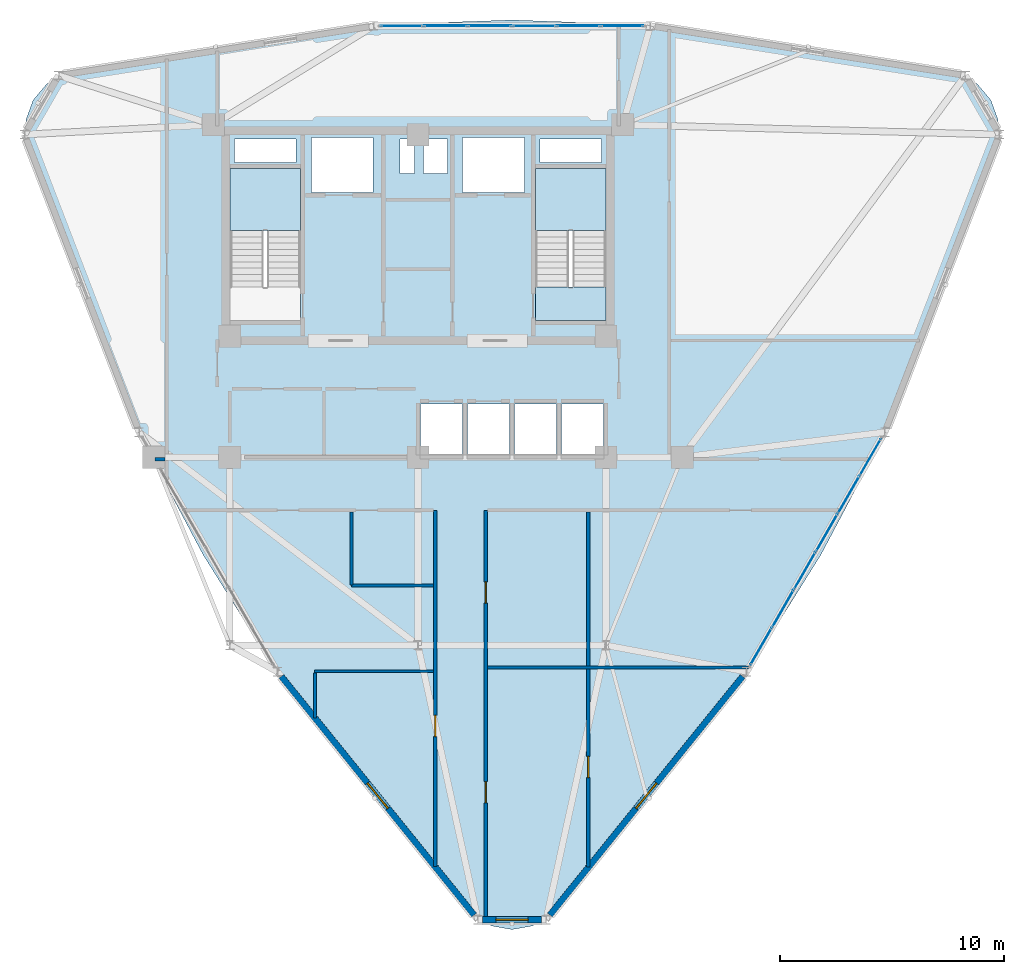
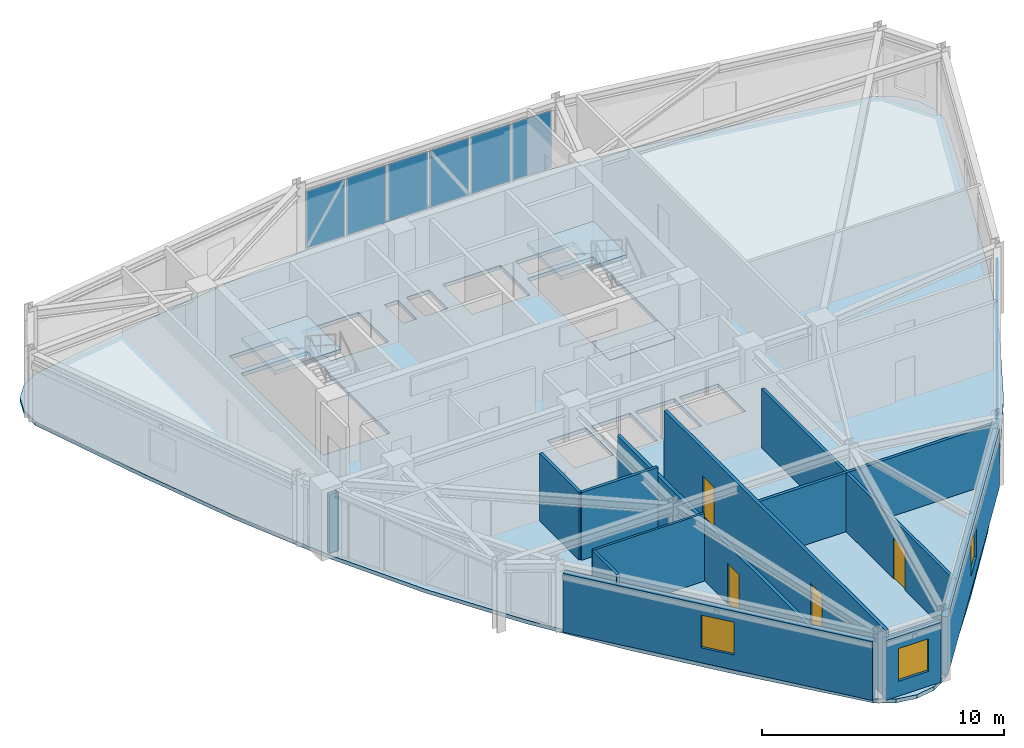
# One storey, part 13 of 18: 12 plates, 12 walls, 4 doors, 4 slabs, 3 windows, 7 openings, 4 elements without a shape of their own.
"""IFC4 building model written with IfcOpenShell, lengths in metres."""

from ifc_helpers import new_model, si_unit, derived_unit, direction, frame, frame_2d, origin, origin_2d, place, context, subcontext, project, spatial, polyline, rectangle, outline, extrude, source, transform, mapped, material, layer, layer_set, type_object, element, fill, aggregate, save


model = new_model("IFC4")

# Units and contexts
model_context = context("Model", 3, precision=1e-05, world=origin(), true_north=direction((0.0, 1.0)))
body_context = subcontext(model_context, "Body", "Model", "MODEL_VIEW")
ifc_project = project(units=[si_unit("LENGTHUNIT", "METRE"), si_unit("AREAUNIT", "SQUARE_METRE"), si_unit("VOLUMEUNIT", "CUBIC_METRE"), si_unit("PLANEANGLEUNIT", "RADIAN"), si_unit("MASSUNIT", "GRAM", prefix="KILO"), derived_unit("THERMALTRANSMITTANCEUNIT", [(si_unit("POWERUNIT", "WATT"), 1), (si_unit("LENGTHUNIT", "METRE"), -2), (si_unit("THERMODYNAMICTEMPERATUREUNIT", "KELVIN"), -1)])], contexts=[model_context])

# Site, building, storey
site_placement = place(None, origin())
site = spatial("IfcSite", under=ifc_project, at=site_placement, CompositionType="ELEMENT")
building_placement = place(site_placement, origin())
building = spatial("IfcBuilding", under=site, at=building_placement, Name="Korsvarv Bourse and Concert Hall", CompositionType="ELEMENT")
storey_placement = place(building_placement, frame((0.0, 0.0, 209.39990234375)))
storey = spatial("IfcBuildingStorey", under=building, at=storey_placement, Name="L54", CompositionType="ELEMENT", Elevation=209.39990234375)

# Slab
ifc_material_1 = material(Name="Precast concrete C45/55", Category="concrete")
ifc_layer_1 = layer(ifc_material_1, 0.199951171875)
ifc_layer_set_1 = layer_set([ifc_layer_1], Name="Precast concrete C45/55")
slab_type_1 = type_object("IfcSlabType", Name="SLB-FLND-T", PredefinedType="LANDING", material=ifc_layer_set_1)
slab_1_placement = place(storey_placement, frame((0.0, 0.0, -0.199951171875)))
element("IfcSlab", 1, at=slab_1_placement, inside=storey, type_object=slab_type_1, Name="L54 Stair ST-T2 Floor Landing Slab", PredefinedType="LANDING", context=body_context, shape_type="SweptSolid", body=[
    extrude(outline(polyline([(44.39990234375, 38.5), (44.39990234375, 40.0), (41.239990234375, 40.0), (41.239990234375, 38.5), (44.39990234375, 38.5)])), origin(), (0.0, 0.0, 1.0), 0.199951171875),
])

# Stair, slab
stair_type = type_object("IfcStairType", Name="STR-TYPE-04", PredefinedType="HALF_TURN_STAIR", material=ifc_material_1)
stair_1_placement = place(storey_placement, origin())
stair_1 = element("IfcStair", 2, at=stair_1_placement, inside=storey, type_object=stair_type, Name="L54 Tower West Exit Stair ST-T1", PredefinedType="HALF_TURN_STAIR")
ifc_layer_2 = layer(ifc_material_1, 0.199951171875)
ifc_layer_set_2 = layer_set([ifc_layer_2], Name="Precast concrete C45/55")
slab_type_2 = type_object("IfcSlabType", Name="SLB-ST-LND", PredefinedType="LANDING", material=ifc_layer_set_2)
slab_2_placement = place(storey_placement, frame((0.0, 0.0, 1.60009765625)))
slab_2 = element("IfcSlab", 3, at=slab_2_placement, type_object=slab_type_2, Name="ST-T1 landing 1", PredefinedType="LANDING", context=body_context, shape_type="SweptSolid", body=[
    extrude(outline(polyline([(30.760009765625, 42.52001953125), (30.760009765625, 45.300048828125), (27.60009765625, 45.300048828125), (27.60009765625, 42.52001953125), (30.760009765625, 42.52001953125)])), origin(), (0.0, 0.0, 1.0), 0.199951171875),
])
aggregate(stair_1, [slab_2])

stair_2_placement = place(storey_placement, origin())
stair_2 = element("IfcStair", 4, at=stair_2_placement, inside=storey, type_object=stair_type, Name="L54 Tower East Exit Stair ST-T2", PredefinedType="HALF_TURN_STAIR")
slab_3_placement = place(storey_placement, frame((0.0, 0.0, 1.60009765625)))
slab_3 = element("IfcSlab", 5, at=slab_3_placement, type_object=slab_type_2, Name="ST-T2 landing 1", PredefinedType="LANDING", context=body_context, shape_type="SweptSolid", body=[
    extrude(outline(polyline([(44.39990234375, 42.52001953125), (44.39990234375, 45.300048828125), (41.239990234375, 45.300048828125), (41.239990234375, 42.52001953125), (44.39990234375, 42.52001953125)])), origin(), (0.0, 0.0, 1.0), 0.199951171875),
])
aggregate(stair_2, [slab_3])

# Slab
ifc_material_2 = material(Name="Concrete C45/55", Category="concrete")
ifc_layer_3 = layer(ifc_material_2, 0.18994140625)
ifc_layer_set_3 = layer_set([ifc_layer_3], Name="Concrete C45/55")
slab_type_3 = type_object("IfcSlabType", Name="SLB-TW3", PredefinedType="FLOOR", material=ifc_layer_set_3)
slab_4_placement = place(storey_placement, frame((0.0, 0.0, -0.18994140625)))
element("IfcSlab", 6, at=slab_4_placement, inside=storey, type_object=slab_type_3, Name="L54 tower structural floor slab", PredefinedType="FLOOR", context=body_context, shape_type="SweptSolid", body=[
    extrude(outline(polyline([(61.532958984375, 45.518798828125), (59.89111328125, 40.9765625), (58.1455078125, 36.51904296875), (56.20068359375, 32.1962890625), (53.992431640625, 28.036865234375), (51.49462890625, 24.044921875), (48.723388671875, 20.199462890625), (45.73583984375, 16.458740234375), (42.622802734375, 12.765869140625), (42.62158203125, 12.764404296875), (41.92333984375, 11.93212890625), (41.116943359375, 11.466552734375), (40.199951171875, 11.304931640625), (39.282958984375, 11.466552734375), (38.476806640625, 11.93212890625), (37.7783203125, 12.764404296875), (37.777099609375, 12.765869140625), (34.6640625, 16.458740234375), (31.6767578125, 20.199462890625), (28.905517578125, 24.044921875), (26.407470703125, 28.036865234375), (24.19921875, 32.1962890625), (22.254638671875, 36.51904296875), (20.5087890625, 40.9765625), (18.8671875, 45.518798828125), (18.866455078125, 45.520751953125), (18.494873046875, 46.54150390625), (18.494873046875, 47.47265625), (18.8134765625, 48.34765625), (19.411865234375, 49.060791015625), (20.21826171875, 49.5263671875), (21.2880859375, 49.715087890625), (21.2900390625, 49.71533203125), (26.044677734375, 50.56494140625), (30.77783203125, 51.28173828125), (35.493896484375, 51.759033203125), (40.199951171875, 51.926025390625), (44.90625, 51.759033203125), (49.6220703125, 51.28173828125), (54.355224609375, 50.56494140625), (59.110107421875, 49.71533203125), (59.112060546875, 49.715087890625), (60.181884765625, 49.5263671875), (60.988037109375, 49.060791015625), (61.586669921875, 48.34765625), (61.905029296875, 47.47265625), (61.905029296875, 46.54150390625), (61.53369140625, 45.520751953125), (61.532958984375, 45.518798828125)]), holes=[polyline([(30.760009765625, 38.5), (30.760009765625, 45.300048828125), (27.60009765625, 45.300048828125), (27.60009765625, 38.5), (30.760009765625, 38.5)]), polyline([(44.39990234375, 38.5), (44.39990234375, 45.300048828125), (41.239990234375, 45.300048828125), (41.239990234375, 38.5), (44.39990234375, 38.5)]), polyline([(31.239990234375, 44.219970703125), (34.0, 44.219970703125), (34.0, 46.679931640625), (31.239990234375, 46.679931640625), (31.239990234375, 44.219970703125)]), polyline([(38.0, 44.219970703125), (40.760009765625, 44.219970703125), (40.760009765625, 46.679931640625), (38.0, 46.679931640625), (38.0, 44.219970703125)]), polyline([(36.1201171875, 32.52001953125), (37.97998046875, 32.52001953125), (37.97998046875, 34.780029296875), (36.1201171875, 34.780029296875), (36.1201171875, 32.52001953125)]), polyline([(38.219970703125, 32.52001953125), (40.080078125, 32.52001953125), (40.080078125, 34.780029296875), (38.219970703125, 34.780029296875), (38.219970703125, 32.52001953125)]), polyline([(40.320068359375, 32.52001953125), (42.179931640625, 32.52001953125), (42.179931640625, 34.780029296875), (40.320068359375, 34.780029296875), (40.320068359375, 32.52001953125)]), polyline([(42.419921875, 32.52001953125), (44.280029296875, 32.52001953125), (44.280029296875, 34.780029296875), (42.419921875, 34.780029296875), (42.419921875, 32.52001953125)]), polyline([(27.800048828125, 45.56005859375), (30.56005859375, 45.56005859375), (30.56005859375, 46.6201171875), (27.800048828125, 46.6201171875), (27.800048828125, 45.56005859375)]), polyline([(41.43994140625, 45.56005859375), (44.199951171875, 45.56005859375), (44.199951171875, 46.6201171875), (41.43994140625, 46.6201171875), (41.43994140625, 45.56005859375)]), polyline([(35.199951171875, 45.080078125), (35.840087890625, 45.080078125), (35.840087890625, 46.6201171875), (35.199951171875, 46.6201171875), (35.199951171875, 45.080078125)]), polyline([(36.239990234375, 45.080078125), (37.320068359375, 45.080078125), (37.320068359375, 46.6201171875), (36.239990234375, 46.6201171875), (36.239990234375, 45.080078125)])]), origin(), (0.0, 0.0, 1.0), 0.18994140625),
])

# Curtain wall, plates
ifc_material_3 = material(Name="Anodised aluminium and triple low-E glazing", Category="glass")
ifc_layer_4 = layer(ifc_material_3, 0.199951171875)
ifc_layer_set_4 = layer_set([ifc_layer_4], Name="Anodised aluminium and triple low-E glazing")
curtain_wall_type = type_object("IfcCurtainWallType", Name="CW-SYS-3", PredefinedType="NOTDEFINED", material=ifc_layer_set_4)
curtain_wall_1_placement = place(storey_placement, origin())
curtain_wall_1 = element("IfcCurtainWall", 7, at=curtain_wall_1_placement, inside=storey, type_object=curtain_wall_type, Name="L54 CW3 curtain wall CW-L54-F03", PredefinedType="NOTDEFINED")
ifc_material_4 = material(Name="Tempered triple insulated low-E architectural glass", Category="glass")
ifc_layer_5 = layer(ifc_material_4, 0.0380859375)
ifc_layer_set_5 = layer_set([ifc_layer_5], Name="Tempered triple insulated low-E architectural glass")
plate_type_1 = type_object("IfcPlateType", Name="CWP-VIS2", PredefinedType="CURTAIN_PANEL", material=ifc_layer_set_5)
shared_shape_1 = source(origin(), body_context, "Body", "SweptSolid", [
    extrude(rectangle(XDim=1.86962890625, YDim=0.0380859375, at=origin_2d()), origin(), (0.0, 0.0, 1.0), 2.889892578125),
])
plate_1_placement = place(storey_placement, frame((45.118896484375, 51.66162109375, 0.06494140625), z_axis=(0.0, 0.0, 1.0), x_axis=(-1.0, 0.0, 0.0)))
plate_1 = element("IfcPlate", 8, at=plate_1_placement, type_object=plate_type_1, Name="CW3 faceted panel 1.1", PredefinedType="CURTAIN_PANEL", context=body_context, shape_type="MappedRepresentation", body=[
    mapped(shared_shape_1, transform((0.0, 0.0, 0.0), scale=1.0)),
])
shared_shape_2 = source(origin(), body_context, "Body", "SweptSolid", [
    extrude(rectangle(XDim=1.904541015625, YDim=0.0380859375, at=origin_2d()), origin(), (0.0, 0.0, 1.0), 2.889892578125),
])
plate_2_placement = place(storey_placement, frame((43.161865234375, 51.66162109375, 0.06494140625), z_axis=(0.0, 0.0, 1.0), x_axis=(-1.0, 0.0, 0.0)))
plate_2 = element("IfcPlate", 9, at=plate_2_placement, type_object=plate_type_1, Name="CW3 faceted panel 2.1", PredefinedType="CURTAIN_PANEL", context=body_context, shape_type="MappedRepresentation", body=[
    mapped(shared_shape_2, transform((0.0, 0.0, 0.0), scale=1.0)),
])
plate_3_placement = place(storey_placement, frame((39.212646484375, 51.66162109375, 0.06494140625), z_axis=(0.0, 0.0, 1.0), x_axis=(-1.0, 0.0, 0.0)))
plate_3 = element("IfcPlate", 10, at=plate_3_placement, type_object=plate_type_1, Name="CW3 faceted panel 4.1", PredefinedType="CURTAIN_PANEL", context=body_context, shape_type="MappedRepresentation", body=[
    mapped(shared_shape_2, transform((0.0, 0.0, 0.0), scale=1.0)),
])
plate_4_placement = place(storey_placement, frame((37.238037109375, 51.66162109375, 0.06494140625), z_axis=(0.0, 0.0, 1.0), x_axis=(-1.0, 0.0, 0.0)))
plate_4 = element("IfcPlate", 11, at=plate_4_placement, type_object=plate_type_1, Name="CW3 faceted panel 5.1", PredefinedType="CURTAIN_PANEL", context=body_context, shape_type="MappedRepresentation", body=[
    mapped(shared_shape_2, transform((0.0, 0.0, 0.0), scale=1.0)),
])
ifc_material_5 = material(Name="Insulated spandrel glass", Category="glass")
ifc_layer_6 = layer(ifc_material_5, 0.031982421875)
ifc_layer_set_6 = layer_set([ifc_layer_6], Name="Insulated spandrel glass")
plate_type_2 = type_object("IfcPlateType", Name="CWP-SPD1", PredefinedType="CURTAIN_PANEL", material=ifc_layer_set_6)
shared_shape_3 = source(origin(), body_context, "Body", "SweptSolid", [
    extrude(rectangle(XDim=1.904541015625, YDim=0.031982421875, at=origin_2d()), origin(), (0.0, 0.0, 1.0), 2.889892578125),
])
plate_5_placement = place(storey_placement, frame((41.187255859375, 51.66162109375, 0.06494140625), z_axis=(0.0, 0.0, 1.0), x_axis=(-1.0, 0.0, 0.0)))
plate_5 = element("IfcPlate", 12, at=plate_5_placement, type_object=plate_type_2, Name="CW3 spandrel shadow-box panel 3.1", PredefinedType="CURTAIN_PANEL", context=body_context, shape_type="MappedRepresentation", body=[
    mapped(shared_shape_3, transform((0.0, 0.0, 0.0), scale=1.0)),
])
shared_shape_4 = source(origin(), body_context, "Body", "SweptSolid", [
    extrude(rectangle(XDim=1.86962890625, YDim=0.031982421875, at=origin_2d()), origin(), (0.0, 0.0, 1.0), 2.889892578125),
])
plate_6_placement = place(storey_placement, frame((35.281005859375, 51.66162109375, 0.06494140625), z_axis=(0.0, 0.0, 1.0), x_axis=(-1.0, 0.0, 0.0)))
plate_6 = element("IfcPlate", 13, at=plate_6_placement, type_object=plate_type_2, Name="CW3 spandrel shadow-box panel 6.1", PredefinedType="CURTAIN_PANEL", context=body_context, shape_type="MappedRepresentation", body=[
    mapped(shared_shape_4, transform((0.0, 0.0, 0.0), scale=1.0)),
])
aggregate(curtain_wall_1, [plate_1, plate_2, plate_5, plate_3, plate_4, plate_6])

curtain_wall_2_placement = place(storey_placement, origin())
curtain_wall_2 = element("IfcCurtainWall", 14, at=curtain_wall_2_placement, inside=storey, type_object=curtain_wall_type, Name="L54 CW3 curtain wall CW-L54-F11", PredefinedType="NOTDEFINED")
shared_shape_5 = source(origin(), body_context, "Body", "SweptSolid", [
    extrude(rectangle(XDim=1.8544921875, YDim=0.0380859375, at=origin_2d()), origin(), (0.0, 0.0, 1.0), 2.889892578125),
])
plate_7_placement = place(storey_placement, frame((51.32275390625, 23.941650390625, 0.06494140625), z_axis=(0.0, 0.0, 1.0), x_axis=(0.499996577961, 0.86602737949, 0.0)))
plate_7 = element("IfcPlate", 15, at=plate_7_placement, type_object=plate_type_1, Name="CW3 faceted panel 1.1", PredefinedType="CURTAIN_PANEL", context=body_context, shape_type="MappedRepresentation", body=[
    mapped(shared_shape_5, transform((0.0, 0.0, 0.0), scale=1.0)),
])
shared_shape_6 = source(origin(), body_context, "Body", "SweptSolid", [
    extrude(rectangle(XDim=1.8896484375, YDim=0.0380859375, at=origin_2d()), origin(), (0.0, 0.0, 1.0), 2.889892578125),
])
plate_8_placement = place(storey_placement, frame((52.293701171875, 25.62353515625, 0.06494140625), z_axis=(0.0, 0.0, 1.0), x_axis=(0.499996577961, 0.86602737949, 0.0)))
plate_8 = element("IfcPlate", 16, at=plate_8_placement, type_object=plate_type_1, Name="CW3 faceted panel 2.1", PredefinedType="CURTAIN_PANEL", context=body_context, shape_type="MappedRepresentation", body=[
    mapped(shared_shape_6, transform((0.0, 0.0, 0.0), scale=1.0)),
])
plate_9_placement = place(storey_placement, frame((54.25341796875, 29.017578125, 0.06494140625), z_axis=(0.0, 0.0, 1.0), x_axis=(0.499996577961, 0.86602737949, 0.0)))
plate_9 = element("IfcPlate", 17, at=plate_9_placement, type_object=plate_type_1, Name="CW3 faceted panel 4.1", PredefinedType="CURTAIN_PANEL", context=body_context, shape_type="MappedRepresentation", body=[
    mapped(shared_shape_6, transform((0.0, 0.0, 0.0), scale=1.0)),
])
plate_10_placement = place(storey_placement, frame((55.233154296875, 30.71484375, 0.06494140625), z_axis=(0.0, 0.0, 1.0), x_axis=(0.499996577961, 0.86602737949, 0.0)))
plate_10 = element("IfcPlate", 18, at=plate_10_placement, type_object=plate_type_1, Name="CW3 faceted panel 5.1", PredefinedType="CURTAIN_PANEL", context=body_context, shape_type="MappedRepresentation", body=[
    mapped(shared_shape_6, transform((0.0, 0.0, 0.0), scale=1.0)),
])
shared_shape_7 = source(origin(), body_context, "Body", "SweptSolid", [
    extrude(rectangle(XDim=1.8896484375, YDim=0.031982421875, at=origin_2d()), origin(), (0.0, 0.0, 1.0), 2.889892578125),
])
plate_11_placement = place(storey_placement, frame((53.2734375, 27.320556640625, 0.06494140625), z_axis=(0.0, 0.0, 1.0), x_axis=(0.499996577961, 0.86602737949, 0.0)))
plate_11 = element("IfcPlate", 19, at=plate_11_placement, type_object=plate_type_2, Name="CW3 spandrel shadow-box panel 3.1", PredefinedType="CURTAIN_PANEL", context=body_context, shape_type="MappedRepresentation", body=[
    mapped(shared_shape_7, transform((0.0, 0.0, 0.0), scale=1.0)),
])
shared_shape_8 = source(origin(), body_context, "Body", "SweptSolid", [
    extrude(rectangle(XDim=1.8544921875, YDim=0.031982421875, at=origin_2d()), origin(), (0.0, 0.0, 1.0), 2.889892578125),
])
plate_12_placement = place(storey_placement, frame((56.2041015625, 32.396728515625, 0.06494140625), z_axis=(0.0, 0.0, 1.0), x_axis=(0.499996577961, 0.86602737949, 0.0)))
plate_12 = element("IfcPlate", 20, at=plate_12_placement, type_object=plate_type_2, Name="CW3 spandrel shadow-box panel 6.1", PredefinedType="CURTAIN_PANEL", context=body_context, shape_type="MappedRepresentation", body=[
    mapped(shared_shape_8, transform((0.0, 0.0, 0.0), scale=1.0)),
])
aggregate(curtain_wall_2, [plate_7, plate_8, plate_11, plate_9, plate_10, plate_12])

# Wall, opening, window
ifc_material_6 = material(Name="Precast concrete C45/55 with terracotta rainscreen", Category="concrete")
ifc_layer_7 = layer(ifc_material_6, 0.300048828125)
ifc_layer_set_7 = layer_set([ifc_layer_7], Name="Precast concrete C45/55 with terracotta rainscreen")
wall_type_1 = type_object("IfcWallType", Name="WL-EXT-TC1", PredefinedType="SOLIDWALL", material=ifc_layer_set_7)
wall_1_placement = place(storey_placement, frame((38.885986328125, 11.74072265625, 0.0), z_axis=(0.0, 0.0, 1.0), x_axis=(1.0, 0.0, 0.0)))
wall_1 = element("IfcWall", 21, at=wall_1_placement, inside=storey, type_object=wall_type_1, Name="L54 terracotta exterior wall EW-L54-B09", PredefinedType="SOLIDWALL", context=body_context, shape_type="SweptSolid", body=[
    extrude(rectangle(XDim=2.628173828125, YDim=0.300048828125, at=frame_2d((1.31396484375, 0.0))), origin(), (0.0, 0.0, 1.0), 3.02001953125),
])
opening_1_placement = place(wall_1_placement, frame((0.589111328125, 0.0, 0.75)))
opening_1 = element("IfcOpeningElement", 22, at=opening_1_placement, cuts=wall_1, Name="Opening W-02", PredefinedType="OPENING", context=body_context, shape_type="SweptSolid", body=[
    extrude(rectangle(XDim=1.449951171875, YDim=1.64990234375, at=frame_2d((0.72509765625, 0.824951171875))), frame((0.0, 0.16015625, 0.0), z_axis=(0.0, -1.0, 0.0), x_axis=(1.0, 0.0, 0.0)), (0.0, 0.0, 1.0), 0.320068359375),
])
ifc_material_7 = material(Name="Thermally broken aluminium frame with triple low-E glass", Category="glass")
window_type = type_object("IfcWindowType", Name="WIN-TW2", PartitioningType="SINGLE_PANEL", PredefinedType="WINDOW", material=ifc_material_7)
window_1_placement = place(opening_1_placement, origin())
window_1 = element("IfcWindow", 23, at=window_1_placement, inside=storey, type_object=window_type, Name="L54 punched facade window W-02", OverallHeight=1.64990234375, OverallWidth=1.449951171875, PartitioningType="SINGLE_PANEL", PredefinedType="WINDOW", context=body_context, shape_type="SweptSolid", body=[
    extrude(rectangle(XDim=1.449951171875, YDim=1.64990234375, at=frame_2d((0.72509765625, 0.824951171875))), frame((0.0, 0.030029296875, 0.0), z_axis=(0.0, -1.0, 0.0), x_axis=(1.0, 0.0, 0.0)), (0.0, 0.0, 1.0), 0.06005859375),
])
fill(opening_1, window_1)

ifc_material_8 = material(Name="Precast concrete C45/55 with fluted terracotta pier", Category="concrete")
ifc_layer_8 = layer(ifc_material_8, 0.280029296875)
ifc_layer_set_8 = layer_set([ifc_layer_8], Name="Precast concrete C45/55 with fluted terracotta pier")
wall_type_2 = type_object("IfcWallType", Name="WL-EXT-TC2", PredefinedType="SOLIDWALL", material=ifc_layer_set_8)
wall_2_placement = place(storey_placement, frame((29.89697265625, 22.60693359375, 0.0), z_axis=(0.0, 0.0, 1.0), x_axis=(0.628534993718, -0.777781307098, 0.0)))
wall_2 = element("IfcWall", 24, at=wall_2_placement, inside=storey, type_object=wall_type_2, Name="L54 terracotta exterior wall EW-L54-B08", PredefinedType="SOLIDWALL", context=body_context, shape_type="SweptSolid", body=[
    extrude(rectangle(XDim=13.69677734375, YDim=0.280029296875, at=frame_2d((6.848388671875, 0.0))), origin(), (0.0, 0.0, 1.0), 2.960205078125),
])
opening_2_placement = place(wall_2_placement, frame((6.123291015625, 0.0, 0.75)))
opening_2 = element("IfcOpeningElement", 25, at=opening_2_placement, cuts=wall_2, Name="Opening W-02", PredefinedType="OPENING", context=body_context, shape_type="SweptSolid", body=[
    extrude(rectangle(XDim=1.449951171875, YDim=1.64990234375, at=frame_2d((0.72509765625, 0.824951171875))), frame((0.0, 0.14990234375, 0.0), z_axis=(0.0, -1.0, 0.0), x_axis=(1.0, 0.0, 0.0)), (0.0, 0.0, 1.0), 0.300048828125),
])
window_2_placement = place(opening_2_placement, origin())
window_2 = element("IfcWindow", 26, at=window_2_placement, inside=storey, type_object=window_type, Name="L54 punched facade window W-02", OverallHeight=1.64990234375, OverallWidth=1.449951171875, PartitioningType="SINGLE_PANEL", PredefinedType="WINDOW", context=body_context, shape_type="SweptSolid", body=[
    extrude(rectangle(XDim=1.449951171875, YDim=1.64990234375, at=frame_2d((0.72509765625, 0.824951171875))), frame((0.0, 0.030029296875, 0.0), z_axis=(0.0, -1.0, 0.0), x_axis=(1.0, 0.0, 0.0)), (0.0, 0.0, 1.0), 0.06005859375),
])
fill(opening_2, window_2)

wall_3_placement = place(storey_placement, frame((41.894287109375, 11.953857421875, 0.0), z_axis=(0.0, 0.0, 1.0), x_axis=(0.628524210589, 0.777790020959, 0.0)))
wall_3 = element("IfcWall", 27, at=wall_3_placement, inside=storey, type_object=wall_type_2, Name="L54 terracotta exterior wall EW-L54-B10", PredefinedType="SOLIDWALL", context=body_context, shape_type="SweptSolid", body=[
    extrude(rectangle(XDim=13.696533203125, YDim=0.280029296875, at=frame_2d((6.84814453125, 0.0))), origin(), (0.0, 0.0, 1.0), 2.960205078125),
])
opening_3_placement = place(wall_3_placement, frame((6.123291015625, 0.0, 0.75)))
opening_3 = element("IfcOpeningElement", 28, at=opening_3_placement, cuts=wall_3, Name="Opening W-02", PredefinedType="OPENING", context=body_context, shape_type="SweptSolid", body=[
    extrude(rectangle(XDim=1.449951171875, YDim=1.64990234375, at=frame_2d((0.72509765625, 0.824951171875))), frame((0.0, 0.14990234375, 0.0), z_axis=(0.0, -1.0, 0.0), x_axis=(1.0, 0.0, 0.0)), (0.0, 0.0, 1.0), 0.300048828125),
])
window_3_placement = place(opening_3_placement, origin())
window_3 = element("IfcWindow", 29, at=window_3_placement, inside=storey, type_object=window_type, Name="L54 punched facade window W-02", OverallHeight=1.64990234375, OverallWidth=1.449951171875, PartitioningType="SINGLE_PANEL", PredefinedType="WINDOW", context=body_context, shape_type="SweptSolid", body=[
    extrude(rectangle(XDim=1.449951171875, YDim=1.64990234375, at=frame_2d((0.72509765625, 0.824951171875))), frame((0.0, 0.030029296875, 0.0), z_axis=(0.0, -1.0, 0.0), x_axis=(1.0, 0.0, 0.0)), (0.0, 0.0, 1.0), 0.06005859375),
])
fill(opening_3, window_3)

# Wall, openings, doors
ifc_material_9 = material(Name="Double-stud fire-rated acoustic partition", Category="gypsum")
ifc_layer_9 = layer(ifc_material_9, 0.159912109375)
ifc_layer_set_9 = layer_set([ifc_layer_9], Name="Double-stud fire-rated acoustic partition")
wall_type_3 = type_object("IfcWallType", Name="WL-INT-EI60", PredefinedType="PARTITIONING", material=ifc_layer_set_9)
wall_4_placement = place(storey_placement, frame((39.02490234375, 11.7607421875, 0.0), z_axis=(0.0, 0.0, 1.0), x_axis=(0.0, 1.0, 0.0)))
wall_4 = element("IfcWall", 30, at=wall_4_placement, inside=storey, type_object=wall_type_3, Name="L54 interior partition wall W-L54-TCOR-03", PredefinedType="PARTITIONING", context=body_context, shape_type="SweptSolid", body=[
    extrude(rectangle(XDim=18.269287109375, YDim=0.159912109375, at=frame_2d((9.134765625, 0.0))), origin(), (0.0, 0.0, 1.0), 3.41015625),
])
opening_4_placement = place(wall_4_placement, frame((5.19970703125, 0.0, 0.0)))
opening_4 = element("IfcOpeningElement", 31, at=opening_4_placement, cuts=wall_4, Name="Opening D-02", PredefinedType="OPENING", context=body_context, shape_type="SweptSolid", body=[
    extrude(rectangle(XDim=0.949951171875, YDim=2.050048828125, at=frame_2d((0.47509765625, 1.02490234375))), frame((0.0, 0.08984375, 0.0), z_axis=(0.0, -1.0, 0.0), x_axis=(1.0, 0.0, 0.0)), (0.0, 0.0, 1.0), 0.179931640625),
])
opening_5_placement = place(wall_4_placement, frame((14.121337890625, 0.0, 0.0)))
opening_5 = element("IfcOpeningElement", 32, at=opening_5_placement, cuts=wall_4, Name="Opening D-02", PredefinedType="OPENING", context=body_context, shape_type="SweptSolid", body=[
    extrude(rectangle(XDim=0.949951171875, YDim=2.050048828125, at=frame_2d((0.47509765625, 1.02490234375))), frame((0.0, 0.08984375, 0.0), z_axis=(0.0, -1.0, 0.0), x_axis=(1.0, 0.0, 0.0)), (0.0, 0.0, 1.0), 0.179931640625),
])
ifc_material_10 = material(Name="Timber and steel acoustic fire door", Category="wood")
door_type_1 = type_object("IfcDoorType", Name="DR-FD30", OperationType="NOTDEFINED", PredefinedType="DOOR", material=ifc_material_10)
door_1_placement = place(opening_4_placement, origin())
door_1 = element("IfcDoor", 33, at=door_1_placement, inside=storey, type_object=door_type_1, Name="L54 interior door DR-L54-TCOR-PN53", OperationType="SINGLE_SWING_LEFT", OverallHeight=2.050048828125, OverallWidth=0.949951171875, PredefinedType="DOOR", context=body_context, shape_type="SweptSolid", body=[
    extrude(rectangle(XDim=0.949951171875, YDim=2.050048828125, at=frame_2d((0.47509765625, 1.02490234375))), frame((0.0, 0.02490234375, 0.0), z_axis=(0.0, -1.0, 0.0), x_axis=(1.0, 0.0, 0.0)), (0.0, 0.0, 1.0), 0.050048828125),
])
fill(opening_4, door_1)
door_2_placement = place(opening_5_placement, origin())
door_2 = element("IfcDoor", 34, at=door_2_placement, inside=storey, type_object=door_type_1, Name="L54 interior door DR-L54-TCOR-PN24", OperationType="SINGLE_SWING_RIGHT", OverallHeight=2.050048828125, OverallWidth=0.949951171875, PredefinedType="DOOR", context=body_context, shape_type="SweptSolid", body=[
    extrude(rectangle(XDim=0.949951171875, YDim=2.050048828125, at=frame_2d((0.47509765625, 1.02490234375))), frame((0.0, 0.02490234375, 0.0), z_axis=(0.0, -1.0, 0.0), x_axis=(1.0, 0.0, 0.0)), (0.0, 0.0, 1.0), 0.050048828125),
])
fill(opening_5, door_2)

# Wall, opening, door
wall_5_placement = place(storey_placement, frame((36.77490234375, 14.115478515625, 0.0), z_axis=(0.0, 0.0, 1.0), x_axis=(0.0, 1.0, 0.0)))
wall_5 = element("IfcWall", 35, at=wall_5_placement, inside=storey, type_object=wall_type_3, Name="L54 interior partition wall W-L54-TCOR-04", PredefinedType="PARTITIONING", context=body_context, shape_type="SweptSolid", body=[
    extrude(rectangle(XDim=15.91455078125, YDim=0.159912109375, at=frame_2d((7.957275390625, 0.0))), origin(), (0.0, 0.0, 1.0), 2.960205078125),
])
opening_6_placement = place(wall_5_placement, frame((5.803466796875, 0.0, 0.0)))
opening_6 = element("IfcOpeningElement", 36, at=opening_6_placement, cuts=wall_5, Name="Opening D-02", PredefinedType="OPENING", context=body_context, shape_type="SweptSolid", body=[
    extrude(rectangle(XDim=0.949951171875, YDim=2.050048828125, at=frame_2d((0.47509765625, 1.02490234375))), frame((0.0, 0.08984375, 0.0), z_axis=(0.0, -1.0, 0.0), x_axis=(1.0, 0.0, 0.0)), (0.0, 0.0, 1.0), 0.179931640625),
])
door_3_placement = place(opening_6_placement, origin())
door_3 = element("IfcDoor", 37, at=door_3_placement, inside=storey, type_object=door_type_1, Name="L54 interior door DR-L54-TCOR-PN49", OperationType="SINGLE_SWING_LEFT", OverallHeight=2.050048828125, OverallWidth=0.949951171875, PredefinedType="DOOR", context=body_context, shape_type="SweptSolid", body=[
    extrude(rectangle(XDim=0.949951171875, YDim=2.050048828125, at=frame_2d((0.47509765625, 1.02490234375))), frame((0.0, 0.02490234375, 0.0), z_axis=(0.0, -1.0, 0.0), x_axis=(1.0, 0.0, 0.0)), (0.0, 0.0, 1.0), 0.050048828125),
])
fill(opening_6, door_3)

# Walls
wall_6_placement = place(storey_placement, frame((24.262939453125, 32.31494140625, 0.0), z_axis=(0.0, 0.0, 1.0), x_axis=(1.0, 0.0, 0.0)))
element("IfcWall", 38, at=wall_6_placement, inside=storey, type_object=wall_type_3, Name="L54 interior partition wall W-L54-TCOR-10", PredefinedType="PARTITIONING", context=body_context, shape_type="SweptSolid", body=[
    extrude(rectangle(XDim=0.43017578125, YDim=0.159912109375, at=frame_2d((0.215087890625, 0.0))), origin(), (0.0, 0.0, 1.0), 2.960205078125),
])
ifc_material_11 = material(Name="Demountable acoustic glass and aluminium dealing partition", Category="aluminium")
ifc_layer_10 = layer(ifc_material_11, 0.110107421875)
ifc_layer_set_10 = layer_set([ifc_layer_10], Name="Demountable acoustic glass and aluminium dealing partition")
wall_type_4 = type_object("IfcWallType", Name="WL-INT-MOV", PredefinedType="MOVABLE", material=ifc_layer_set_10)
wall_7_placement = place(storey_placement, frame((31.389892578125, 22.8349609375, 0.0), z_axis=(0.0, 0.0, 1.0), x_axis=(1.0, 0.0, 0.0)))
element("IfcWall", 39, at=wall_7_placement, inside=storey, type_object=wall_type_4, Name="L54 interior partition wall W-L54-TCOR-14", PredefinedType="MOVABLE", context=body_context, shape_type="SweptSolid", body=[
    extrude(rectangle(XDim=5.30322265625, YDim=0.110107421875, at=frame_2d((2.651611328125, 0.0))), origin(), (0.0, 0.0, 1.0), 3.41015625),
])

# Wall, opening, door
ifc_material_12 = material(Name="Insulated steel-stud office acoustic partition", Category="gypsum")
ifc_layer_11 = layer(ifc_material_12, 0.139892578125)
ifc_layer_set_11 = layer_set([ifc_layer_11], Name="Insulated steel-stud office acoustic partition")
wall_type_5 = type_object("IfcWallType", Name="WL-INT-P1", PredefinedType="PARTITIONING", material=ifc_layer_set_11)
wall_8_placement = place(storey_placement, frame((43.60498046875, 14.0908203125, 0.0), z_axis=(0.0, 0.0, 1.0), x_axis=(0.0, 1.0, 0.0)))
wall_8 = element("IfcWall", 40, at=wall_8_placement, inside=storey, type_object=wall_type_5, Name="L54 interior partition wall W-L54-TCOR-11", PredefinedType="PARTITIONING", context=body_context, shape_type="SweptSolid", body=[
    extrude(rectangle(XDim=15.852294921875, YDim=0.139892578125, at=frame_2d((7.92626953125, 0.0))), origin(), (0.0, 0.0, 1.0), 2.960205078125),
])
opening_7_placement = place(wall_8_placement, frame((3.997802734375, 0.0, 0.0)))
opening_7 = element("IfcOpeningElement", 41, at=opening_7_placement, cuts=wall_8, Name="Opening D-03", PredefinedType="OPENING", context=body_context, shape_type="SweptSolid", body=[
    extrude(rectangle(XDim=0.949951171875, YDim=2.050048828125, at=frame_2d((0.47509765625, 1.02490234375))), frame((0.0, 0.080078125, 0.0), z_axis=(0.0, -1.0, 0.0), x_axis=(1.0, 0.0, 0.0)), (0.0, 0.0, 1.0), 0.159912109375),
])
ifc_material_13 = material(Name="Nordic oak acoustic office door", Category="wood")
door_type_2 = type_object("IfcDoorType", Name="DR-INT-1", OperationType="NOTDEFINED", PredefinedType="DOOR", material=ifc_material_13)
door_4_placement = place(opening_7_placement, origin())
door_4 = element("IfcDoor", 42, at=door_4_placement, inside=storey, type_object=door_type_2, Name="L54 interior door DR-L54-TCOR-RM55", OperationType="SINGLE_SWING_LEFT", OverallHeight=2.050048828125, OverallWidth=0.949951171875, PredefinedType="DOOR", context=body_context, shape_type="SweptSolid", body=[
    extrude(rectangle(XDim=0.949951171875, YDim=2.050048828125, at=frame_2d((0.47509765625, 1.02490234375))), frame((0.0, 0.02490234375, 0.0), z_axis=(0.0, -1.0, 0.0), x_axis=(1.0, 0.0, 0.0)), (0.0, 0.0, 1.0), 0.050048828125),
])
fill(opening_7, door_4)

# Walls
wall_9_placement = place(storey_placement, frame((39.10693359375, 23.0048828125, 0.0), z_axis=(0.0, 0.0, 1.0), x_axis=(1.0, 0.0, 0.0)))
element("IfcWall", 43, at=wall_9_placement, inside=storey, type_object=wall_type_5, Name="L54 interior partition wall W-L54-TCOR-12", PredefinedType="PARTITIONING", context=body_context, shape_type="SweptSolid", body=[
    extrude(rectangle(XDim=11.655029296875, YDim=0.139892578125, at=frame_2d((5.82763671875, 0.0))), origin(), (0.0, 0.0, 1.0), 2.960205078125),
])
wall_10_placement = place(storey_placement, frame((33.0400390625, 26.675048828125, 0.0), z_axis=(0.0, 0.0, 1.0), x_axis=(1.0, 0.0, 0.0)))
element("IfcWall", 44, at=wall_10_placement, inside=storey, type_object=wall_type_5, Name="L54 interior partition wall W-L54-TCOR-15", PredefinedType="PARTITIONING", context=body_context, shape_type="SweptSolid", body=[
    extrude(rectangle(XDim=3.653076171875, YDim=0.139892578125, at=frame_2d((1.82666015625, 0.0))), origin(), (0.0, 0.0, 1.0), 3.41015625),
])
wall_11_placement = place(storey_placement, frame((33.02490234375, 26.68994140625, 0.0), z_axis=(0.0, 0.0, 1.0), x_axis=(0.0, 1.0, 0.0)))
element("IfcWall", 45, at=wall_11_placement, inside=storey, type_object=wall_type_5, Name="L54 interior partition wall W-L54-TCOR-16", PredefinedType="PARTITIONING", context=body_context, shape_type="SweptSolid", body=[
    extrude(rectangle(XDim=3.253173828125, YDim=0.139892578125, at=frame_2d((1.62646484375, 0.0))), origin(), (0.0, 0.0, 1.0), 3.41015625),
])
wall_12_placement = place(storey_placement, frame((31.405029296875, 20.760986328125, 0.0), z_axis=(0.0, 0.0, 1.0), x_axis=(0.0, 1.0, 0.0)))
element("IfcWall", 46, at=wall_12_placement, inside=storey, type_object=wall_type_5, Name="L54 interior partition wall W-L54-TCOR-17", PredefinedType="PARTITIONING", context=body_context, shape_type="SweptSolid", body=[
    extrude(rectangle(XDim=2.001953125, YDim=0.139892578125, at=frame_2d((1.0009765625, 0.0))), origin(), (0.0, 0.0, 1.0), 3.41015625),
])

save(model, "model.ifc")
